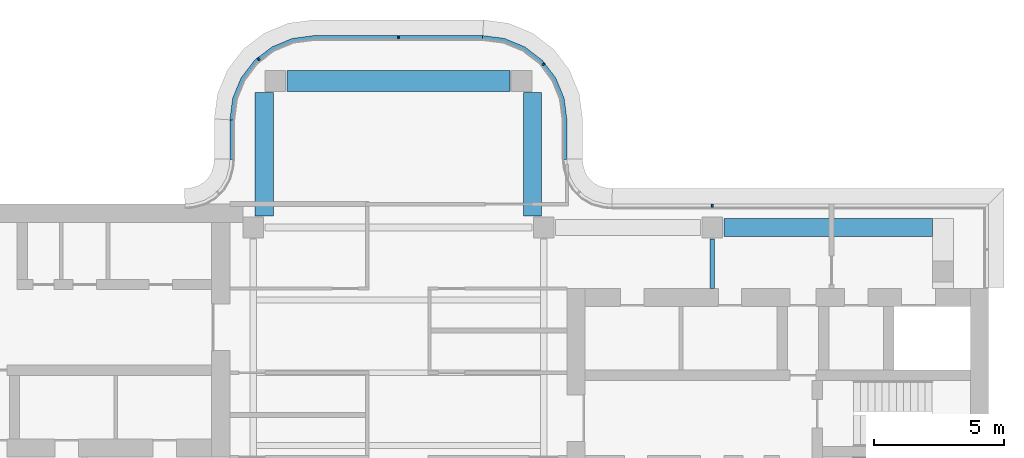
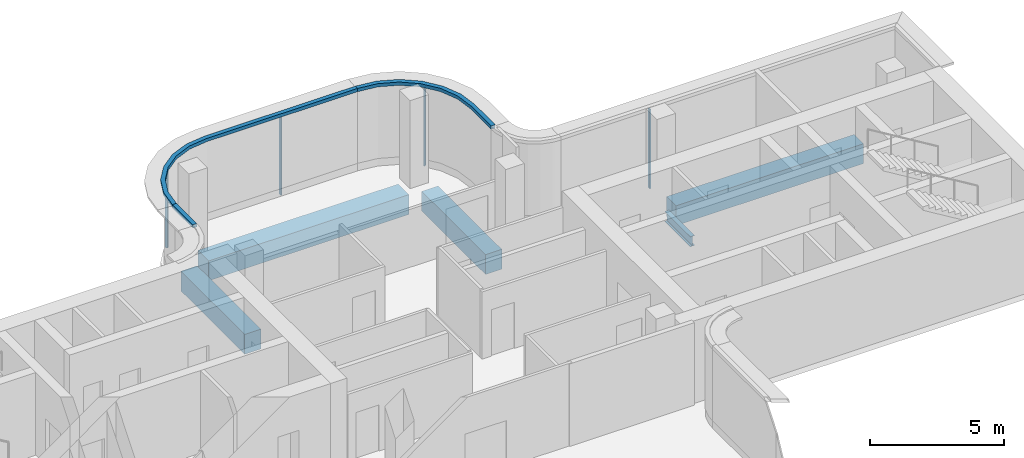
# One storey, part 4 of 10: 7 members, 5 beams, 4 elements without a shape of their own.
"""IFC4 building model written with IfcOpenShell, lengths in metres."""

from ifc_helpers import new_model, si_unit, direction, frame, origin, origin_2d, place, context, subcontext, project, spatial, polyline, rectangle, i_section, outline, extrude, source, transform, mapped, material, layer, layer_set, material_profile, profile_set, type_object, element, aggregate, save


model = new_model("IFC4")

# Units and contexts
model_context = context("Model", 3, precision=1e-05, world=origin(), true_north=direction((0.0, 1.0)))
body_context = subcontext(model_context, "Body", "Model", "MODEL_VIEW")
ifc_project = project(units=[si_unit("LENGTHUNIT", "METRE"), si_unit("AREAUNIT", "SQUARE_METRE"), si_unit("VOLUMEUNIT", "CUBIC_METRE"), si_unit("PLANEANGLEUNIT", "RADIAN"), si_unit("MASSUNIT", "GRAM", prefix="KILO")], contexts=[model_context])

# Site, building, storey
site_placement = place(None, origin())
site = spatial("IfcSite", under=ifc_project, at=site_placement, CompositionType="ELEMENT")
building_placement = place(site_placement, origin())
building = spatial("IfcBuilding", under=site, at=building_placement, Name="Trellis Farm Tower", CompositionType="ELEMENT")
storey_placement = place(building_placement, frame((0.0, 0.0, 350.10009765625)))
storey = spatial("IfcBuildingStorey", under=building, at=storey_placement, Name="L79", CompositionType="ELEMENT", Elevation=350.10009765625)

# Curtain wall, member
ifc_material_1 = material(Name="Aluminium and glass curtain wall", Category="aluminium")
ifc_layer_1 = layer(ifc_material_1, 0.176025390625)
ifc_layer_set_1 = layer_set([ifc_layer_1], Name="CROWN LANTERN CURTAIN WALL CW5")
curtain_wall_type = type_object("IfcCurtainWallType", Name="CROWN LANTERN CURTAIN WALL CW5", PredefinedType="NOTDEFINED", material=ifc_layer_set_1)
placement_1 = place(storey_placement, origin())
curtain_wall_1 = element("IfcCurtainWall", 1, at=placement_1, inside=storey, type_object=curtain_wall_type, Name="CW5 009", PredefinedType="NOTDEFINED")
ifc_material_2 = material(Name="Aluminium extrusion 6063-T6", Category="aluminium")
ifc_layer_2 = layer(ifc_material_2, 0.176025390625)
ifc_layer_set_2 = layer_set([ifc_layer_2], Name="Aluminium extrusion 6063-T6")
member_type_1 = type_object("IfcMemberType", Name="CW5 TRANSOM 176x150", PredefinedType="USERDEFINED", material=ifc_layer_set_2)
placement_2 = place(storey_placement, frame((0.0, 0.0, 3.599853515625)))
member_1 = element("IfcMember", 2, at=placement_2, type_object=member_type_1, Name="TR5 009", ObjectType="TRANSOM", PredefinedType="USERDEFINED", context=body_context, shape_type="SweptSolid", body=[
    extrude(outline(polyline([(3.25, 13.0), (-3.25, 13.0), (-4.091064453125, 12.88916015625), (-4.875, 12.564697265625), (-5.548095703125, 12.048095703125), (-6.064697265625, 11.375), (-6.38916015625, 10.591064453125), (-6.5, 9.75), (-6.323974609375, 9.738525390625), (-6.2177734375, 10.545166015625), (-5.910888671875, 11.2861328125), (-5.422607421875, 11.922607421875), (-4.7861328125, 12.410888671875), (-4.045166015625, 12.7177734375), (-3.238525390625, 12.823974609375), (3.238525390625, 12.823974609375), (3.25, 13.0)])), origin(), (0.0, 0.0, 1.0), 0.150146484375),
])

# Beams
ifc_material_3 = material(Name="Concrete C60/75", Category="concrete")
ifc_material_profile_1 = material_profile(ifc_material_3, rectangle(XDim=0.699951171875, YDim=0.89990234375, at=origin_2d()), Name="RC spandrel beam 700x900 C60/75")
ifc_profile_set_1 = profile_set([ifc_material_profile_1], Name="Concrete C60/75")
beam_type_1 = type_object("IfcBeamType", Name="RC spandrel beam 700x900 C60/75", PredefinedType="SPANDREL", material=ifc_profile_set_1)
shared_shape_1 = source(origin(), body_context, "Body", "SweptSolid", [
    extrude(rectangle(XDim=0.699951171875, YDim=0.89990234375, at=origin_2d()), origin(), (0.0, 0.0, 1.0), 4.75),
])
for number, where, z_axis, x_axis, name in (
    (3, (-5.175048828125, 6.050048828125, -0.7001953125), (0.0, 1.0, 0.0), (-1.0, 0.0, 0.0), "Girder"),
    (4, (5.175048828125, 6.050048828125, -0.7001953125), (0.0, 1.0, 0.0), (-1.0, 0.0, 0.0), "Girder"),
):
    element("IfcBeam", number, at=place(storey_placement, frame(where, z_axis=z_axis, x_axis=x_axis)), inside=storey, type_object=beam_type_1, Name=name, PredefinedType="SPANDREL", context=body_context, shape_type="MappedRepresentation", body=[
        mapped(shared_shape_1, transform((0.0, 0.0, 0.0))),
    ])
ifc_material_profile_2 = material_profile(ifc_material_3, rectangle(XDim=0.800048828125, YDim=0.89990234375, at=origin_2d()), Name="RC spandrel beam 800x900 C60/75")
ifc_profile_set_2 = profile_set([ifc_material_profile_2], Name="Concrete C60/75")
beam_type_2 = type_object("IfcBeamType", Name="RC spandrel beam 800x900 C60/75", PredefinedType="SPANDREL", material=ifc_profile_set_2)
shared_shape_2 = source(origin(), body_context, "Body", "SweptSolid", [
    extrude(rectangle(XDim=0.800048828125, YDim=0.89990234375, at=origin_2d()), origin(), (0.0, 0.0, 1.0), 8.60009765625),
])
beam_1_placement = place(storey_placement, frame((-4.300048828125, 11.25, -0.7001953125), z_axis=(1.0, 0.0, 0.0), x_axis=(0.0, 1.0, 0.0)))
element("IfcBeam", 5, at=beam_1_placement, inside=storey, type_object=beam_type_2, Name="Girder", PredefinedType="SPANDREL", context=body_context, shape_type="MappedRepresentation", body=[
    mapped(shared_shape_2, transform((0.0, 0.0, 0.0))),
])
ifc_material_4 = material(Name="Steel S355", Category="steel")
ifc_material_profile_3 = material_profile(ifc_material_4, i_section(OverallWidth=0.1904296875, OverallDepth=0.45703125, WebThickness=0.009033203125, FlangeThickness=0.014404296875, FilletRadius=0.01025390625, at=origin_2d()), Name="UB 457x191x74")
ifc_profile_set_3 = profile_set([ifc_material_profile_3], Name="Steel S355")
beam_type_3 = type_object("IfcBeamType", Name="UB 457x191x74", PredefinedType="BEAM", material=ifc_profile_set_3)
shared_shape_3 = source(origin(), body_context, "Body", "SweptSolid", [
    extrude(i_section(OverallWidth=0.1904296875, OverallDepth=0.45703125, WebThickness=0.009033203125, FlangeThickness=0.014404296875, FilletRadius=0.01025390625, at=origin_2d()), origin(), (0.0, 0.0, 1.0), 1.89990234375),
])
beam_2_placement = place(storey_placement, frame((12.10009765625, 3.25, -0.478515625), z_axis=(0.0, 1.0, 0.0), x_axis=(-1.0, 0.0, 0.0)))
element("IfcBeam", 6, at=beam_2_placement, inside=storey, type_object=beam_type_3, Name="Girder", PredefinedType="BEAM", context=body_context, shape_type="MappedRepresentation", body=[
    mapped(shared_shape_3, transform((0.0, 0.0, 0.0))),
])
shared_shape_4 = source(origin(), body_context, "Body", "SweptSolid", [
    extrude(rectangle(XDim=0.699951171875, YDim=0.89990234375, at=origin_2d()), origin(), (0.0, 0.0, 1.0), 8.050048828125),
])
beam_3_placement = place(storey_placement, frame((12.550048828125, 5.60009765625, -0.7001953125), z_axis=(1.0, 0.0, 0.0), x_axis=(0.0, 1.0, 0.0)))
element("IfcBeam", 7, at=beam_3_placement, inside=storey, type_object=beam_type_1, Name="Girder", PredefinedType="SPANDREL", context=body_context, shape_type="MappedRepresentation", body=[
    mapped(shared_shape_4, transform((0.0, 0.0, 0.0))),
])

# Curtain wall, member
curtain_wall_2 = element("IfcCurtainWall", 8, at=placement_1, inside=storey, type_object=curtain_wall_type, Name="CW5 006", PredefinedType="NOTDEFINED")
ifc_material_profile_4 = material_profile(ifc_material_2, rectangle(XDim=0.06005859375, YDim=0.1201171875, at=origin_2d()), Name="MULLION 60x120")
ifc_profile_set_4 = profile_set([ifc_material_profile_4], Name="Aluminium extrusion 6063-T6")
member_type_2 = type_object("IfcMemberType", Name="CW5 MULLION 60x120", PredefinedType="MULLION", material=ifc_profile_set_4)
shared_shape_5 = source(origin(), body_context, "Body", "SweptSolid", [
    extrude(rectangle(XDim=0.06005859375, YDim=0.1201171875, at=origin_2d()), origin(), (0.0, 0.0, 1.0), 3.599853515625),
])
member_2_placement = place(storey_placement, frame((12.10009765625, 6.43994140625, 0.0), z_axis=(0.0, 0.0, 1.0), x_axis=(-1.0, 0.0, 0.0)))
member_2 = element("IfcMember", 9, at=member_2_placement, type_object=member_type_2, Name="MU5 006-01", PredefinedType="MULLION", context=body_context, shape_type="MappedRepresentation", body=[
    mapped(shared_shape_5, transform((0.0, 0.0, 0.0))),
])
aggregate(curtain_wall_2, [member_2])

curtain_wall_3 = element("IfcCurtainWall", 10, at=placement_1, inside=storey, type_object=curtain_wall_type, Name="CW5 008", PredefinedType="NOTDEFINED")
member_3_placement = place(storey_placement, frame((5.590087890625, 11.894775390625, 0.0), z_axis=(0.0, 0.0, 1.0), x_axis=(-0.608761429009, 0.793353340291, 0.0)))
member_3 = element("IfcMember", 11, at=member_3_placement, type_object=member_type_2, Name="MU5 008-01", PredefinedType="MULLION", context=body_context, shape_type="MappedRepresentation", body=[
    mapped(shared_shape_5, transform((0.0, 0.0, 0.0))),
])

# Member
member_4_placement = place(storey_placement, frame((0.0, 12.93994140625, 0.0), z_axis=(0.0, 0.0, 1.0), x_axis=(-1.0, 0.0, 0.0)))
member_4 = element("IfcMember", 12, at=member_4_placement, type_object=member_type_2, Name="MU5 009-01", PredefinedType="MULLION", context=body_context, shape_type="MappedRepresentation", body=[
    mapped(shared_shape_5, transform((0.0, 0.0, 0.0))),
])

member_5_placement = place(storey_placement, frame((-5.394775390625, 12.090087890625, 0.0), z_axis=(0.0, 0.0, 1.0), x_axis=(-0.793353340291, -0.608761429009, 0.0)))
member_5 = element("IfcMember", 13, at=member_5_placement, type_object=member_type_2, Name="MU5 009-02", PredefinedType="MULLION", context=body_context, shape_type="MappedRepresentation", body=[
    mapped(shared_shape_5, transform((0.0, 0.0, 0.0))),
])

aggregate(curtain_wall_1, [member_4, member_5, member_1])

shared_shape_6 = source(origin(), body_context, "Body", "SweptSolid", [
    extrude(outline(polyline([(6.5, 8.2314453125), (6.5, 9.75), (6.38916015625, 10.591064453125), (6.064697265625, 11.375), (5.548095703125, 12.048095703125), (4.875, 12.564697265625), (4.091064453125, 12.88916015625), (3.25, 13.0), (3.238525390625, 12.823974609375), (4.045166015625, 12.7177734375), (4.7861328125, 12.410888671875), (5.422607421875, 11.922607421875), (5.910888671875, 11.2861328125), (6.2177734375, 10.545166015625), (6.323974609375, 9.738525390625), (6.323974609375, 8.2255859375), (6.5, 8.2314453125)])), origin(), (0.0, 0.0, 1.0), 0.150146484375),
])
member_6 = element("IfcMember", 14, at=placement_2, type_object=member_type_1, Name="TR5 008", ObjectType="TRANSOM", PredefinedType="USERDEFINED", context=body_context, shape_type="MappedRepresentation", body=[
    mapped(shared_shape_6, transform((0.0, 0.0, 0.0))),
])

aggregate(curtain_wall_3, [member_3, member_6])

# Curtain wall, member
curtain_wall_4 = element("IfcCurtainWall", 15, at=placement_1, inside=storey, type_object=curtain_wall_type, Name="CW5 010", PredefinedType="NOTDEFINED")
shared_shape_7 = source(origin(), body_context, "Body", "SweptSolid", [
    extrude(outline(polyline([(-6.5, 9.75), (-6.5, 8.2314453125), (-6.323974609375, 8.2255859375), (-6.323974609375, 9.738525390625), (-6.5, 9.75)])), origin(), (0.0, 0.0, 1.0), 0.150146484375),
])
member_7 = element("IfcMember", 16, at=placement_2, type_object=member_type_1, Name="TR5 010", ObjectType="TRANSOM", PredefinedType="USERDEFINED", context=body_context, shape_type="MappedRepresentation", body=[
    mapped(shared_shape_7, transform((0.0, 0.0, 0.0))),
])
aggregate(curtain_wall_4, [member_7])

save(model, "model.ifc")
